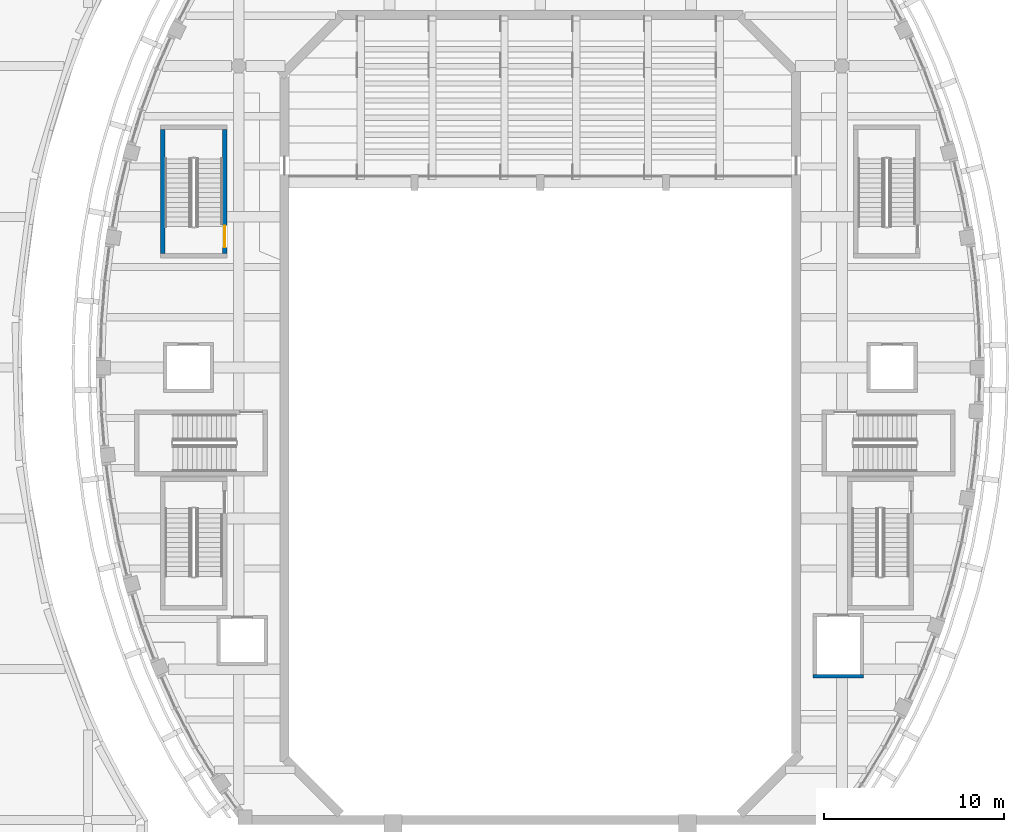
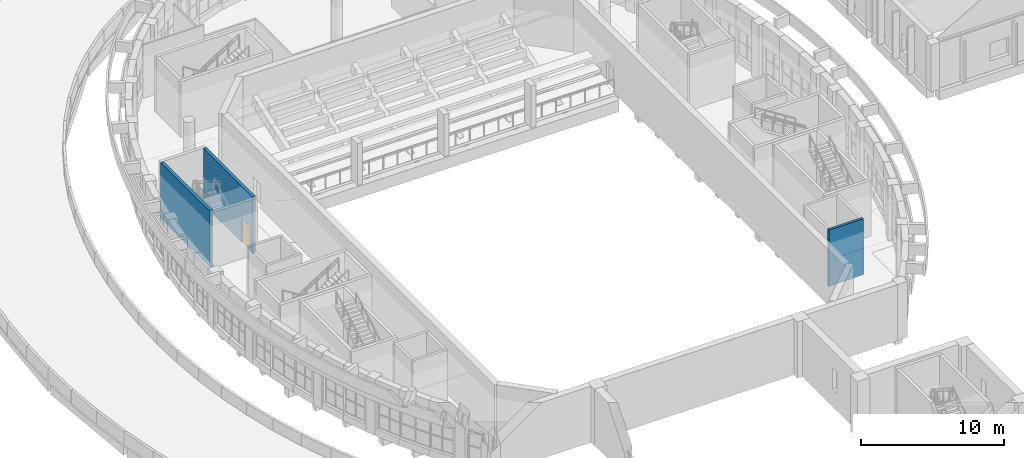
# One storey, part 25 of 79: 3 walls, 1 door, 1 opening.
"""IFC4 building model written with IfcOpenShell, lengths in metres."""

from ifc_helpers import new_model, si_unit, direction, frame, frame_2d, origin, place, context, subcontext, project, spatial, rectangle, extrude, material, layer, layer_set, type_object, element, fill, save


model = new_model("IFC4")

# Units and contexts
model_context = context("Model", 3, precision=1e-05, world=origin(), true_north=direction((0.0, 1.0)))
body_context = subcontext(model_context, "Body", "Model", "MODEL_VIEW")
ifc_project = project(units=[si_unit("LENGTHUNIT", "METRE"), si_unit("AREAUNIT", "SQUARE_METRE"), si_unit("VOLUMEUNIT", "CUBIC_METRE"), si_unit("PLANEANGLEUNIT", "RADIAN"), si_unit("MASSUNIT", "GRAM", prefix="KILO")], contexts=[model_context])

# Site, building, storey
site_placement = place(None, origin())
site = spatial("IfcSite", under=ifc_project, at=site_placement, CompositionType="ELEMENT")
building_placement = place(site_placement, origin())
building = spatial("IfcBuilding", under=site, at=building_placement, Name="Larchfold Concert Hall", CompositionType="ELEMENT")
storey_placement = place(building_placement, frame((0.0, 0.0, 14.39990234375)))
storey = spatial("IfcBuildingStorey", under=building, at=storey_placement, Name="L03", CompositionType="ELEMENT", Elevation=14.39990234375)

# Walls
ifc_material_1 = material(Name="Concrete C40/50", Category="concrete")
ifc_layer_1 = layer(ifc_material_1, 0.199951171875)
ifc_layer_set_1 = layer_set([ifc_layer_1], Name="Concrete C40/50")
wall_type_1 = type_object("IfcWallType", Name="Wall RC 200 lift shaft", PredefinedType="SOLIDWALL", material=ifc_layer_set_1)
wall_1_placement = place(storey_placement, frame((57.800048828125, 67.400146484375, 0.0), z_axis=(0.0, 0.0, 1.0), x_axis=(1.0, 0.0, 0.0)))
element("IfcWall", 1, at=wall_1_placement, inside=storey, type_object=wall_type_1, Name="Wall W0110", PredefinedType="SOLIDWALL", context=body_context, shape_type="SweptSolid", body=[
    extrude(rectangle(XDim=2.800048828125, YDim=0.199951171875, at=frame_2d((1.39990234375, 0.0))), origin(), (0.0, 0.0, 1.0), 4.800048828125),
])
ifc_material_2 = material(Name="Concrete C40/50", Category="concrete")
ifc_layer_2 = layer(ifc_material_2, 0.25)
ifc_layer_set_2 = layer_set([ifc_layer_2], Name="Concrete C40/50")
wall_type_2 = type_object("IfcWallType", Name="Wall RC 250 stair core", PredefinedType="SOLIDWALL", material=ifc_layer_set_2)
wall_2_placement = place(storey_placement, frame((21.574951171875, 90.949951171875, 0.0), z_axis=(0.0, 0.0, 1.0), x_axis=(0.0, 1.0, 0.0)))
element("IfcWall", 2, at=wall_2_placement, inside=storey, type_object=wall_type_2, Name="Wall W0044", PredefinedType="SOLIDWALL", context=body_context, shape_type="SweptSolid", body=[
    extrude(rectangle(XDim=6.900146484375, YDim=0.25, at=frame_2d((3.4501953125, 0.0))), origin(), (0.0, 0.0, 1.0), 4.800048828125),
])

# Wall, opening, door
wall_3_placement = place(storey_placement, frame((25.02490234375, 90.949951171875, 0.0), z_axis=(0.0, 0.0, 1.0), x_axis=(0.0, 1.0, 0.0)))
wall_3 = element("IfcWall", 3, at=wall_3_placement, inside=storey, type_object=wall_type_2, Name="Wall W0045", PredefinedType="SOLIDWALL", context=body_context, shape_type="SweptSolid", body=[
    extrude(rectangle(XDim=6.900146484375, YDim=0.25, at=frame_2d((3.4501953125, 0.0))), origin(), (0.0, 0.0, 1.0), 4.800048828125),
])
opening_placement = place(wall_3_placement, frame((0.35009765625, 0.0, 0.0)))
opening = element("IfcOpeningElement", 4, at=opening_placement, cuts=wall_3, Name="Opening D-L03-133", PredefinedType="OPENING", context=body_context, shape_type="SweptSolid", body=[
    extrude(rectangle(XDim=1.199951171875, YDim=2.10009765625, at=frame_2d((0.60009765625, 1.050048828125))), frame((0.0, 0.135009765625, 0.0), z_axis=(0.0, -1.0, 0.0), x_axis=(1.0, 0.0, 0.0)), (0.0, 0.0, 1.0), 0.27001953125),
])
ifc_material_3 = material(Name="Timber door leaf", Category="wood")
door_type = type_object("IfcDoorType", Name="Stair enclosure door pair 1200 x 2100 FD60", OperationType="SINGLE_SWING_LEFT", PredefinedType="DOOR", material=ifc_material_3)
door_placement = place(opening_placement, origin())
door = element("IfcDoor", 5, at=door_placement, inside=storey, type_object=door_type, Name="Door D-L03-133", OperationType="DOUBLE_DOOR_SINGLE_SWING", OverallHeight=2.10009765625, OverallWidth=1.199951171875, PredefinedType="DOOR", context=body_context, shape_type="SweptSolid", body=[
    extrude(rectangle(XDim=1.199951171875, YDim=2.10009765625, at=frame_2d((0.60009765625, 1.050048828125))), frame((0.0, 0.02490234375, 0.0), z_axis=(0.0, -1.0, 0.0), x_axis=(1.0, 0.0, 0.0)), (0.0, 0.0, 1.0), 0.050048828125),
])
fill(opening, door)

save(model, "model.ifc")
